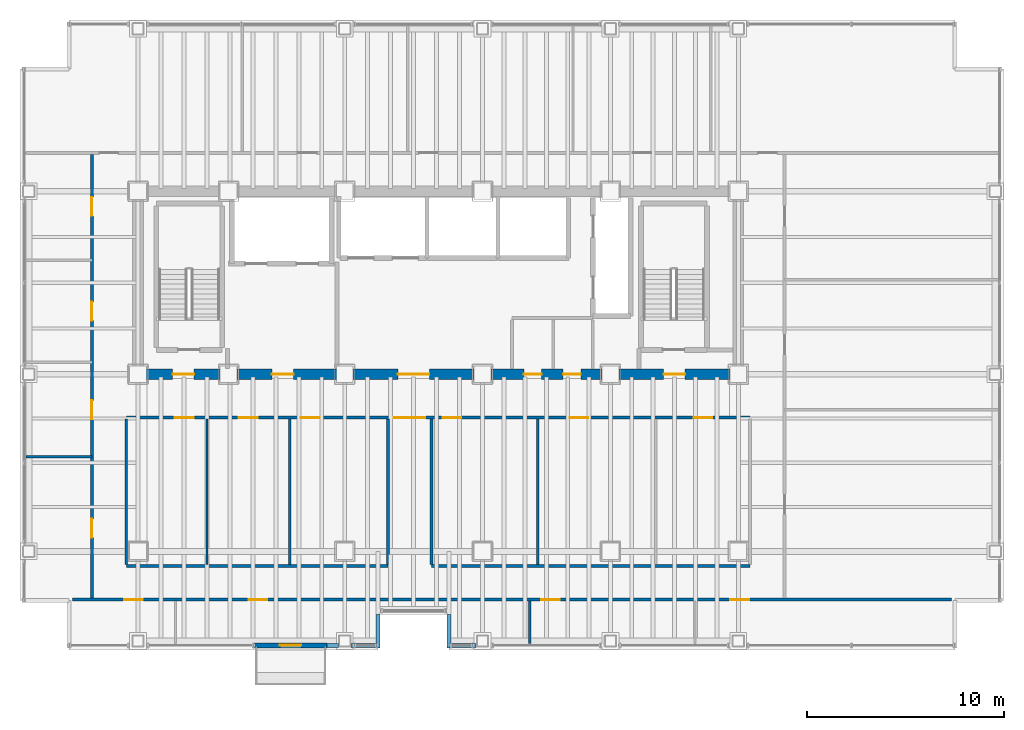
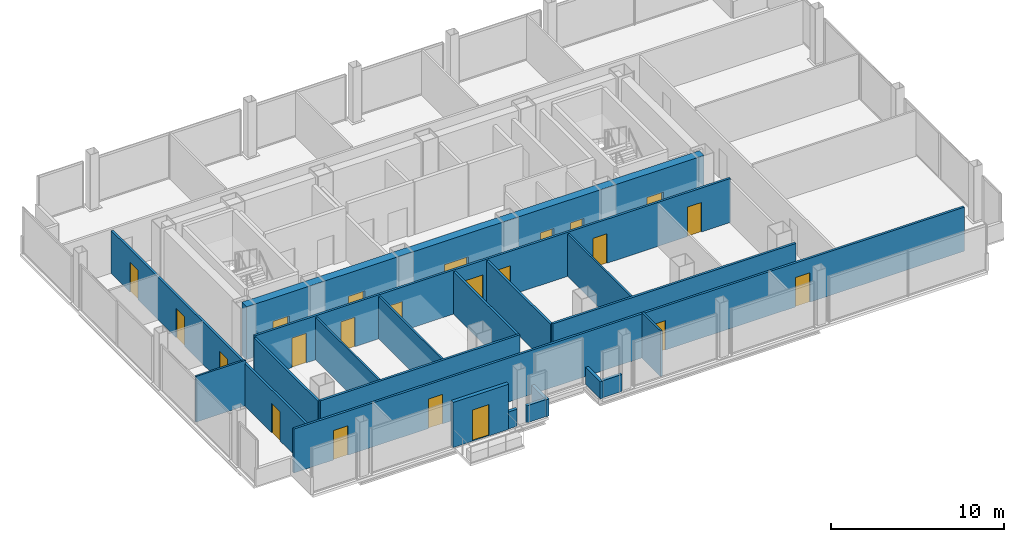
# One storey, part 17 of 20: 22 doors, 20 walls, 22 openings.
"""IFC4 building model written with IfcOpenShell, lengths in metres."""

from ifc_helpers import new_model, si_unit, direction, frame, frame_2d, origin, place, context, subcontext, project, spatial, rectangle, extrude, material, layer, layer_set, type_object, element, fill, save


model = new_model("IFC4")

# Units and contexts
model_context = context("Model", 3, precision=1e-05, world=origin(), true_north=direction((0.0, 1.0)))
body_context = subcontext(model_context, "Body", "Model", "MODEL_VIEW")
ifc_project = project(units=[si_unit("LENGTHUNIT", "METRE"), si_unit("AREAUNIT", "SQUARE_METRE"), si_unit("VOLUMEUNIT", "CUBIC_METRE"), si_unit("PLANEANGLEUNIT", "RADIAN"), si_unit("MASSUNIT", "GRAM", prefix="KILO")], contexts=[model_context])

# Site, building, storey
site_placement = place(None, origin())
site = spatial("IfcSite", under=ifc_project, at=site_placement, CompositionType="ELEMENT")
building_placement = place(site_placement, origin())
building = spatial("IfcBuilding", under=site, at=building_placement, Name="Noeulbin Bourse Tower", CompositionType="ELEMENT")
storey_placement = place(building_placement, frame((0.0, 0.0, 61.60009765625)))
storey = spatial("IfcBuildingStorey", under=building, at=storey_placement, Name="L15", CompositionType="ELEMENT", Elevation=61.60009765625)

# Wall, openings, doors
ifc_material_1 = material(Name="Concrete C60/75", Category="concrete")
ifc_layer_1 = layer(ifc_material_1, 0.550048828125)
ifc_layer_set_1 = layer_set([ifc_layer_1], Name="Concrete C60/75")
wall_type_1 = type_object("IfcWallType", Name="WAL-CORE-550", PredefinedType="SHEAR", material=ifc_layer_set_1)
wall_1_placement = place(storey_placement, frame((13.5, 29.0, 0.0), z_axis=(0.0, 0.0, 1.0), x_axis=(1.0, 0.0, 0.0)))
wall_1 = element("IfcWall", 1, at=wall_1_placement, inside=storey, type_object=wall_type_1, Name="Rear Core South Shear Wall L15", PredefinedType="SHEAR", context=body_context, shape_type="SweptSolid", body=[
    extrude(rectangle(XDim=30.5, YDim=0.550048828125, at=frame_2d((15.25, 0.0))), origin(), (0.0, 0.0, 1.0), 3.719970703125),
])
opening_1_placement = place(wall_1_placement, frame((1.75, 0.0, 0.0)))
opening_1 = element("IfcOpeningElement", 2, at=opening_1_placement, cuts=wall_1, Name="Opening FD-11", PredefinedType="OPENING", context=body_context, shape_type="SweptSolid", body=[
    extrude(rectangle(XDim=1.10009765625, YDim=2.080078125, at=frame_2d((0.550048828125, 1.0400390625))), frame((0.0, 0.284912109375, 0.0), z_axis=(0.0, -1.0, 0.0), x_axis=(1.0, 0.0, 0.0)), (0.0, 0.0, 1.0), 0.570068359375),
])
opening_2_placement = place(wall_1_placement, frame((26.699951171875, 0.0, 0.0)))
opening_2 = element("IfcOpeningElement", 3, at=opening_2_placement, cuts=wall_1, Name="Opening FD-11", PredefinedType="OPENING", context=body_context, shape_type="SweptSolid", body=[
    extrude(rectangle(XDim=1.10009765625, YDim=2.080078125, at=frame_2d((0.550048828125, 1.0400390625))), frame((0.0, 0.284912109375, 0.0), z_axis=(0.0, -1.0, 0.0), x_axis=(1.0, 0.0, 0.0)), (0.0, 0.0, 1.0), 0.570068359375),
])
opening_3_placement = place(wall_1_placement, frame((6.800048828125, 0.0, 0.0)))
opening_3 = element("IfcOpeningElement", 4, at=opening_3_placement, cuts=wall_1, Name="Opening FD-11", PredefinedType="OPENING", context=body_context, shape_type="SweptSolid", body=[
    extrude(rectangle(XDim=1.10009765625, YDim=2.080078125, at=frame_2d((0.550048828125, 1.0400390625))), frame((0.0, 0.284912109375, 0.0), z_axis=(0.0, -1.0, 0.0), x_axis=(1.0, 0.0, 0.0)), (0.0, 0.0, 1.0), 0.570068359375),
])
opening_4_placement = place(wall_1_placement, frame((13.199951171875, 0.0, 0.0)))
opening_4 = element("IfcOpeningElement", 5, at=opening_4_placement, cuts=wall_1, Name="Opening ID-16", PredefinedType="OPENING", context=body_context, shape_type="SweptSolid", body=[
    extrude(rectangle(XDim=1.60009765625, YDim=2.080078125, at=frame_2d((0.800048828125, 1.0400390625))), frame((0.0, 0.284912109375, 0.0), z_axis=(0.0, -1.0, 0.0), x_axis=(1.0, 0.0, 0.0)), (0.0, 0.0, 1.0), 0.570068359375),
])
opening_5_placement = place(wall_1_placement, frame((19.60009765625, 0.0, 0.0)))
opening_5 = element("IfcOpeningElement", 6, at=opening_5_placement, cuts=wall_1, Name="Opening FD-09", PredefinedType="OPENING", context=body_context, shape_type="SweptSolid", body=[
    extrude(rectangle(XDim=0.89990234375, YDim=2.080078125, at=frame_2d((0.449951171875, 1.0400390625))), frame((0.0, 0.284912109375, 0.0), z_axis=(0.0, -1.0, 0.0), x_axis=(1.0, 0.0, 0.0)), (0.0, 0.0, 1.0), 0.570068359375),
])
opening_6_placement = place(wall_1_placement, frame((21.60009765625, 0.0, 0.0)))
opening_6 = element("IfcOpeningElement", 7, at=opening_6_placement, cuts=wall_1, Name="Opening FD-09", PredefinedType="OPENING", context=body_context, shape_type="SweptSolid", body=[
    extrude(rectangle(XDim=0.89990234375, YDim=2.080078125, at=frame_2d((0.449951171875, 1.0400390625))), frame((0.0, 0.284912109375, 0.0), z_axis=(0.0, -1.0, 0.0), x_axis=(1.0, 0.0, 0.0)), (0.0, 0.0, 1.0), 0.570068359375),
])
ifc_material_2 = material(Name="Acoustic Glazed Aluminium", Category="aluminium")
door_type_1 = type_object("IfcDoorType", Name="DR-DBL-1600", OperationType="DOUBLE_DOOR_SINGLE_SWING", PredefinedType="DOOR", material=ifc_material_2)
door_1_placement = place(opening_4_placement, origin())
door_1 = element("IfcDoor", 8, at=door_1_placement, inside=storey, type_object=door_type_1, Name="Passenger Lift Lobby Portal L15", OperationType="DOUBLE_DOOR_SINGLE_SWING", OverallHeight=2.080078125, OverallWidth=1.60009765625, PredefinedType="DOOR", context=body_context, shape_type="SweptSolid", body=[
    extrude(rectangle(XDim=1.60009765625, YDim=2.080078125, at=frame_2d((0.800048828125, 1.0400390625))), frame((0.0, 0.02490234375, 0.0), z_axis=(0.0, -1.0, 0.0), x_axis=(1.0, 0.0, 0.0)), (0.0, 0.0, 1.0), 0.050048828125),
])
fill(opening_4, door_1)
ifc_material_3 = material(Name="Fire-Rated Timber Core", Category="wood")
door_type_2 = type_object("IfcDoorType", Name="DR-FD30-900", OperationType="SINGLE_SWING_RIGHT", PredefinedType="DOOR", material=ifc_material_3)
door_2_placement = place(opening_5_placement, origin())
door_2 = element("IfcDoor", 9, at=door_2_placement, inside=storey, type_object=door_type_2, Name="Interior Door L15-05", OperationType="SINGLE_SWING_LEFT", OverallHeight=2.080078125, OverallWidth=0.89990234375, PredefinedType="DOOR", context=body_context, shape_type="SweptSolid", body=[
    extrude(rectangle(XDim=0.89990234375, YDim=2.080078125, at=frame_2d((0.449951171875, 1.0400390625))), frame((0.0, 0.02490234375, 0.0), z_axis=(0.0, -1.0, 0.0), x_axis=(1.0, 0.0, 0.0)), (0.0, 0.0, 1.0), 0.050048828125),
])
fill(opening_5, door_2)
door_3_placement = place(opening_6_placement, origin())
door_3 = element("IfcDoor", 10, at=door_3_placement, inside=storey, type_object=door_type_2, Name="Interior Door L15-06", OperationType="SINGLE_SWING_RIGHT", OverallHeight=2.080078125, OverallWidth=0.89990234375, PredefinedType="DOOR", context=body_context, shape_type="SweptSolid", body=[
    extrude(rectangle(XDim=0.89990234375, YDim=2.080078125, at=frame_2d((0.449951171875, 1.0400390625))), frame((0.0, 0.02490234375, 0.0), z_axis=(0.0, -1.0, 0.0), x_axis=(1.0, 0.0, 0.0)), (0.0, 0.0, 1.0), 0.050048828125),
])
fill(opening_6, door_3)
ifc_material_4 = material(Name="Fire-Rated Insulated Steel", Category="steel")
door_type_3 = type_object("IfcDoorType", Name="DR-FD60-1100", OperationType="SINGLE_SWING_LEFT", PredefinedType="DOOR", material=ifc_material_4)
door_4_placement = place(opening_1_placement, origin())
door_4 = element("IfcDoor", 11, at=door_4_placement, inside=storey, type_object=door_type_3, Name="West Stair Lobby Door L15", OperationType="SINGLE_SWING_LEFT", OverallHeight=2.080078125, OverallWidth=1.10009765625, PredefinedType="DOOR", context=body_context, shape_type="SweptSolid", body=[
    extrude(rectangle(XDim=1.10009765625, YDim=2.080078125, at=frame_2d((0.550048828125, 1.0400390625))), frame((0.0, 0.02490234375, 0.0), z_axis=(0.0, -1.0, 0.0), x_axis=(1.0, 0.0, 0.0)), (0.0, 0.0, 1.0), 0.050048828125),
])
fill(opening_1, door_4)
door_5_placement = place(opening_2_placement, origin())
door_5 = element("IfcDoor", 12, at=door_5_placement, inside=storey, type_object=door_type_3, Name="East Stair Lobby Door L15", OperationType="SINGLE_SWING_RIGHT", OverallHeight=2.080078125, OverallWidth=1.10009765625, PredefinedType="DOOR", context=body_context, shape_type="SweptSolid", body=[
    extrude(rectangle(XDim=1.10009765625, YDim=2.080078125, at=frame_2d((0.550048828125, 1.0400390625))), frame((0.0, 0.02490234375, 0.0), z_axis=(0.0, -1.0, 0.0), x_axis=(1.0, 0.0, 0.0)), (0.0, 0.0, 1.0), 0.050048828125),
])
fill(opening_2, door_5)
door_6_placement = place(opening_3_placement, origin())
door_6 = element("IfcDoor", 13, at=door_6_placement, inside=storey, type_object=door_type_3, Name="Firefighting Lobby Door L15", OperationType="SINGLE_SWING_LEFT", OverallHeight=2.080078125, OverallWidth=1.10009765625, PredefinedType="DOOR", context=body_context, shape_type="SweptSolid", body=[
    extrude(rectangle(XDim=1.10009765625, YDim=2.080078125, at=frame_2d((0.550048828125, 1.0400390625))), frame((0.0, 0.02490234375, 0.0), z_axis=(0.0, -1.0, 0.0), x_axis=(1.0, 0.0, 0.0)), (0.0, 0.0, 1.0), 0.050048828125),
])
fill(opening_3, door_6)

# Wall, opening, door
ifc_material_5 = material(Name="Precast Concrete C40/50", Category="concrete")
ifc_layer_2 = layer(ifc_material_5, 0.25)
ifc_layer_set_2 = layer_set([ifc_layer_2], Name="Precast Concrete C40/50")
wall_type_2 = type_object("IfcWallType", Name="WAL-EXT-250", PredefinedType="STANDARD", material=ifc_layer_set_2)
wall_2_placement = place(storey_placement, frame((19.39990234375, 15.219970703125, 0.0), z_axis=(0.0, 0.0, 1.0), x_axis=(1.0, 0.0, 0.0)))
wall_2 = element("IfcWall", 14, at=wall_2_placement, inside=storey, type_object=wall_type_2, Name="Balcony Threshold Wall L15", PredefinedType="STANDARD", context=body_context, shape_type="SweptSolid", body=[
    extrude(rectangle(XDim=3.7001953125, YDim=0.25, at=frame_2d((1.85009765625, 0.0))), origin(), (0.0, 0.0, 1.0), 3.179931640625),
])
opening_7_placement = place(wall_2_placement, frame((1.300048828125, 0.0, 0.0)))
opening_7 = element("IfcOpeningElement", 15, at=opening_7_placement, cuts=wall_2, Name="Opening BD-11", PredefinedType="OPENING", context=body_context, shape_type="SweptSolid", body=[
    extrude(rectangle(XDim=1.10009765625, YDim=2.199951171875, at=frame_2d((0.550048828125, 1.10009765625))), frame((0.0, 0.135009765625, 0.0), z_axis=(0.0, -1.0, 0.0), x_axis=(1.0, 0.0, 0.0)), (0.0, 0.0, 1.0), 0.27001953125),
])
ifc_material_6 = material(Name="Thermally Broken Aluminium Framed Glass", Category="aluminium")
door_type_4 = type_object("IfcDoorType", Name="DR-BAL-1100", OperationType="SINGLE_SWING_LEFT", PredefinedType="DOOR", material=ifc_material_6)
door_7_placement = place(opening_7_placement, origin())
door_7 = element("IfcDoor", 16, at=door_7_placement, inside=storey, type_object=door_type_4, Name="Tree-Balcony Access Door BD-L15", OperationType="SINGLE_SWING_LEFT", OverallHeight=2.199951171875, OverallWidth=1.10009765625, PredefinedType="DOOR", context=body_context, shape_type="SweptSolid", body=[
    extrude(rectangle(XDim=1.10009765625, YDim=2.199951171875, at=frame_2d((0.550048828125, 1.10009765625))), frame((0.0, 0.02490234375, 0.0), z_axis=(0.0, -1.0, 0.0), x_axis=(1.0, 0.0, 0.0)), (0.0, 0.0, 1.0), 0.050048828125),
])
fill(opening_7, door_7)

# Walls
ifc_material_7 = material(Name="Concrete C40/50", Category="concrete")
ifc_layer_3 = layer(ifc_material_7, 0.199951171875)
ifc_layer_set_3 = layer_set([ifc_layer_3], Name="Concrete C40/50")
wall_type_3 = type_object("IfcWallType", Name="WAL-PAR-200", PredefinedType="PARAPET", material=ifc_layer_set_3)
wall_3_placement = place(storey_placement, frame((23.10009765625, 15.219970703125, 0.0), z_axis=(0.0, 0.0, 1.0), x_axis=(1.0, 0.0, 0.0)))
element("IfcWall", 17, at=wall_3_placement, inside=storey, type_object=wall_type_3, Name="Perimeter Pier Spandrel Parapet L15-S1", PredefinedType="PARAPET", context=body_context, shape_type="SweptSolid", body=[
    extrude(rectangle(XDim=0.579833984375, YDim=0.199951171875, at=frame_2d((0.2900390625, 0.0))), origin(), (0.0, 0.0, 1.0), 1.199951171875),
])
for number, where, z_axis, x_axis, name in (
    (18, (24.320068359375, 15.219970703125, 0.0), (0.0, 0.0, 1.0), (1.0, 0.0, 0.0), "Perimeter Pier Spandrel Parapet L15-S2"),
    (19, (29.35009765625, 15.219970703125, 0.0), (0.0, 0.0, 1.0), (1.0, 0.0, 0.0), "Perimeter Pier Spandrel Parapet L15-S3"),
):
    element("IfcWall", number, at=place(storey_placement, frame(where, z_axis=z_axis, x_axis=x_axis)), inside=storey, type_object=wall_type_3, Name=name, PredefinedType="PARAPET", context=body_context, shape_type="SweptSolid", body=[
        extrude(rectangle(XDim=1.329833984375, YDim=0.199951171875, at=frame_2d((0.6650390625, 0.0))), origin(), (0.0, 0.0, 1.0), 1.199951171875),
    ])
for number, where, z_axis, x_axis, name in (
    (20, (25.699951171875, 15.10009765625, 0.0), (0.0, 0.0, 1.0), (0.0, 1.0, 0.0), "Sky-Garden Recess Parapet L15-W"),
    (21, (29.300048828125, 16.800048828125, 0.0), (0.0, 0.0, 1.0), (0.0, -1.0, 0.0), "Sky-Garden Recess Parapet L15-E"),
):
    element("IfcWall", number, at=place(storey_placement, frame(where, z_axis=z_axis, x_axis=x_axis)), inside=storey, type_object=wall_type_3, Name=name, PredefinedType="PARAPET", context=body_context, shape_type="SweptSolid", body=[
        extrude(rectangle(XDim=1.699951171875, YDim=0.199951171875, at=frame_2d((0.85009765625, 0.0))), origin(), (0.0, 0.0, 1.0), 1.199951171875),
    ])
ifc_material_8 = material(Name="Steel Stud Gypsum Partition", Category="steel")
ifc_layer_4 = layer(ifc_material_8, 0.1201171875)
ifc_layer_set_4 = layer_set([ifc_layer_4], Name="Steel Stud Gypsum Partition")
wall_type_4 = type_object("IfcWallType", Name="WAL-PRT-120", PredefinedType="PARTITIONING", material=ifc_layer_set_4)
wall_4_placement = place(storey_placement, frame((7.81005859375, 24.800048828125, 0.0), z_axis=(0.0, 0.0, 1.0), x_axis=(1.0, 0.0, 0.0)))
element("IfcWall", 22, at=wall_4_placement, inside=storey, type_object=wall_type_4, Name="Interior Partition Wall L15-07", PredefinedType="PARTITIONING", context=body_context, shape_type="SweptSolid", body=[
    extrude(rectangle(XDim=3.33984375, YDim=0.1201171875, at=frame_2d((1.669921875, 0.0))), origin(), (0.0, 0.0, 1.0), 3.2119140625),
])
wall_5_placement = place(storey_placement, frame((33.39990234375, 15.31005859375, 0.0), z_axis=(0.0, 0.0, 1.0), x_axis=(0.0, 1.0, 0.0)))
element("IfcWall", 23, at=wall_5_placement, inside=storey, type_object=wall_type_4, Name="Interior Partition Wall L15-26", PredefinedType="PARTITIONING", context=body_context, shape_type="SweptSolid", body=[
    extrude(rectangle(XDim=2.155029296875, YDim=0.1201171875, at=frame_2d((1.07763671875, 0.0))), origin(), (0.0, 0.0, 1.0), 3.2119140625),
])
for number, where, z_axis, x_axis, name in (
    (24, (17.0, 19.3349609375, 0.0), (0.0, 0.0, 1.0), (0.0, 1.0, 0.0), "Interior Partition Wall L15-28"),
    (25, (21.199951171875, 19.3349609375, 0.0), (0.0, 0.0, 1.0), (0.0, 1.0, 0.0), "Interior Partition Wall L15-29"),
    (26, (33.800048828125, 19.3349609375, 0.0), (0.0, 0.0, 1.0), (0.0, 1.0, 0.0), "Interior Partition Wall L15-30"),
):
    element("IfcWall", number, at=place(storey_placement, frame(where, z_axis=z_axis, x_axis=x_axis)), inside=storey, type_object=wall_type_4, Name=name, PredefinedType="PARTITIONING", context=body_context, shape_type="SweptSolid", body=[
        extrude(rectangle(XDim=7.380126953125, YDim=0.1201171875, at=frame_2d((3.68994140625, 0.0))), origin(), (0.0, 0.0, 1.0), 3.0),
    ])

# Wall, openings, doors
ifc_material_9 = material(Name="Steel Stud Acoustic Gypsum Board", Category="steel")
ifc_layer_5 = layer(ifc_material_9, 0.14990234375)
ifc_layer_set_5 = layer_set([ifc_layer_5], Name="Steel Stud Acoustic Gypsum Board")
wall_type_5 = type_object("IfcWallType", Name="WAL-PRT-150", PredefinedType="PARTITIONING", material=ifc_layer_set_5)
wall_6_placement = place(storey_placement, frame((12.89990234375, 26.800048828125, 0.0), z_axis=(0.0, 0.0, 1.0), x_axis=(1.0, 0.0, 0.0)))
wall_6 = element("IfcWall", 27, at=wall_6_placement, inside=storey, type_object=wall_type_5, Name="Interior Partition Wall L15-03", PredefinedType="PARTITIONING", context=body_context, shape_type="SweptSolid", body=[
    extrude(rectangle(XDim=31.7001953125, YDim=0.14990234375, at=frame_2d((15.85009765625, 0.0))), origin(), (0.0, 0.0, 1.0), 3.099853515625),
])
opening_8_placement = place(wall_6_placement, frame((13.60009765625, 0.0, 0.0)))
opening_8 = element("IfcOpeningElement", 28, at=opening_8_placement, cuts=wall_6, Name="Opening ID-16", PredefinedType="OPENING", context=body_context, shape_type="SweptSolid", body=[
    extrude(rectangle(XDim=1.60009765625, YDim=2.080078125, at=frame_2d((0.800048828125, 1.0400390625))), frame((0.0, 0.0849609375, 0.0), z_axis=(0.0, -1.0, 0.0), x_axis=(1.0, 0.0, 0.0)), (0.0, 0.0, 1.0), 0.169921875),
])
opening_9_placement = place(wall_6_placement, frame((2.47509765625, 0.0, 0.0)))
opening_9 = element("IfcOpeningElement", 29, at=opening_9_placement, cuts=wall_6, Name="Opening ID-09", PredefinedType="OPENING", context=body_context, shape_type="SweptSolid", body=[
    extrude(rectangle(XDim=0.949951171875, YDim=2.080078125, at=frame_2d((0.47509765625, 1.0400390625))), frame((0.0, 0.0849609375, 0.0), z_axis=(0.0, -1.0, 0.0), x_axis=(1.0, 0.0, 0.0)), (0.0, 0.0, 1.0), 0.169921875),
])
opening_10_placement = place(wall_6_placement, frame((5.72509765625, 0.0, 0.0)))
opening_10 = element("IfcOpeningElement", 30, at=opening_10_placement, cuts=wall_6, Name="Opening ID-09", PredefinedType="OPENING", context=body_context, shape_type="SweptSolid", body=[
    extrude(rectangle(XDim=0.949951171875, YDim=2.080078125, at=frame_2d((0.47509765625, 1.0400390625))), frame((0.0, 0.0849609375, 0.0), z_axis=(0.0, -1.0, 0.0), x_axis=(1.0, 0.0, 0.0)), (0.0, 0.0, 1.0), 0.169921875),
])
opening_11_placement = place(wall_6_placement, frame((8.875, 0.0, 0.0)))
opening_11 = element("IfcOpeningElement", 31, at=opening_11_placement, cuts=wall_6, Name="Opening ID-09", PredefinedType="OPENING", context=body_context, shape_type="SweptSolid", body=[
    extrude(rectangle(XDim=0.949951171875, YDim=2.080078125, at=frame_2d((0.47509765625, 1.0400390625))), frame((0.0, 0.0849609375, 0.0), z_axis=(0.0, -1.0, 0.0), x_axis=(1.0, 0.0, 0.0)), (0.0, 0.0, 1.0), 0.169921875),
])
opening_12_placement = place(wall_6_placement, frame((16.074951171875, 0.0, 0.0)))
opening_12 = element("IfcOpeningElement", 32, at=opening_12_placement, cuts=wall_6, Name="Opening ID-09", PredefinedType="OPENING", context=body_context, shape_type="SweptSolid", body=[
    extrude(rectangle(XDim=0.949951171875, YDim=2.080078125, at=frame_2d((0.47509765625, 1.0400390625))), frame((0.0, 0.0849609375, 0.0), z_axis=(0.0, -1.0, 0.0), x_axis=(1.0, 0.0, 0.0)), (0.0, 0.0, 1.0), 0.169921875),
])
opening_13_placement = place(wall_6_placement, frame((22.52490234375, 0.0, 0.0)))
opening_13 = element("IfcOpeningElement", 33, at=opening_13_placement, cuts=wall_6, Name="Opening ID-09", PredefinedType="OPENING", context=body_context, shape_type="SweptSolid", body=[
    extrude(rectangle(XDim=0.949951171875, YDim=2.080078125, at=frame_2d((0.47509765625, 1.0400390625))), frame((0.0, 0.0849609375, 0.0), z_axis=(0.0, -1.0, 0.0), x_axis=(1.0, 0.0, 0.0)), (0.0, 0.0, 1.0), 0.169921875),
])
opening_14_placement = place(wall_6_placement, frame((28.824951171875, 0.0, 0.0)))
opening_14 = element("IfcOpeningElement", 34, at=opening_14_placement, cuts=wall_6, Name="Opening ID-09", PredefinedType="OPENING", context=body_context, shape_type="SweptSolid", body=[
    extrude(rectangle(XDim=0.949951171875, YDim=2.080078125, at=frame_2d((0.47509765625, 1.0400390625))), frame((0.0, 0.0849609375, 0.0), z_axis=(0.0, -1.0, 0.0), x_axis=(1.0, 0.0, 0.0)), (0.0, 0.0, 1.0), 0.169921875),
])
door_8_placement = place(opening_8_placement, origin())
door_8 = element("IfcDoor", 35, at=door_8_placement, inside=storey, type_object=door_type_1, Name="Interior Door L15-07", OperationType="DOUBLE_DOOR_SINGLE_SWING", OverallHeight=2.080078125, OverallWidth=1.60009765625, PredefinedType="DOOR", context=body_context, shape_type="SweptSolid", body=[
    extrude(rectangle(XDim=1.60009765625, YDim=2.080078125, at=frame_2d((0.800048828125, 1.0400390625))), frame((0.0, 0.02490234375, 0.0), z_axis=(0.0, -1.0, 0.0), x_axis=(1.0, 0.0, 0.0)), (0.0, 0.0, 1.0), 0.050048828125),
])
fill(opening_8, door_8)
ifc_material_10 = material(Name="Acoustic Solid-Core Timber", Category="wood")
door_type_5 = type_object("IfcDoorType", Name="DR-SINGLE-950", OperationType="SINGLE_SWING_LEFT", PredefinedType="DOOR", material=ifc_material_10)
door_9_placement = place(opening_9_placement, origin())
door_9 = element("IfcDoor", 36, at=door_9_placement, inside=storey, type_object=door_type_5, Name="Interior Door L15-12", OperationType="SINGLE_SWING_RIGHT", OverallHeight=2.080078125, OverallWidth=0.949951171875, PredefinedType="DOOR", context=body_context, shape_type="SweptSolid", body=[
    extrude(rectangle(XDim=0.949951171875, YDim=2.080078125, at=frame_2d((0.47509765625, 1.0400390625))), frame((0.0, 0.02490234375, 0.0), z_axis=(0.0, -1.0, 0.0), x_axis=(1.0, 0.0, 0.0)), (0.0, 0.0, 1.0), 0.050048828125),
])
fill(opening_9, door_9)
door_10_placement = place(opening_10_placement, origin())
door_10 = element("IfcDoor", 37, at=door_10_placement, inside=storey, type_object=door_type_5, Name="Interior Door L15-13", OperationType="SINGLE_SWING_LEFT", OverallHeight=2.080078125, OverallWidth=0.949951171875, PredefinedType="DOOR", context=body_context, shape_type="SweptSolid", body=[
    extrude(rectangle(XDim=0.949951171875, YDim=2.080078125, at=frame_2d((0.47509765625, 1.0400390625))), frame((0.0, 0.02490234375, 0.0), z_axis=(0.0, -1.0, 0.0), x_axis=(1.0, 0.0, 0.0)), (0.0, 0.0, 1.0), 0.050048828125),
])
fill(opening_10, door_10)
door_11_placement = place(opening_11_placement, origin())
door_11 = element("IfcDoor", 38, at=door_11_placement, inside=storey, type_object=door_type_5, Name="Interior Door L15-14", OperationType="SINGLE_SWING_RIGHT", OverallHeight=2.080078125, OverallWidth=0.949951171875, PredefinedType="DOOR", context=body_context, shape_type="SweptSolid", body=[
    extrude(rectangle(XDim=0.949951171875, YDim=2.080078125, at=frame_2d((0.47509765625, 1.0400390625))), frame((0.0, 0.02490234375, 0.0), z_axis=(0.0, -1.0, 0.0), x_axis=(1.0, 0.0, 0.0)), (0.0, 0.0, 1.0), 0.050048828125),
])
fill(opening_11, door_11)
door_12_placement = place(opening_12_placement, origin())
door_12 = element("IfcDoor", 39, at=door_12_placement, inside=storey, type_object=door_type_5, Name="Interior Door L15-15", OperationType="SINGLE_SWING_LEFT", OverallHeight=2.080078125, OverallWidth=0.949951171875, PredefinedType="DOOR", context=body_context, shape_type="SweptSolid", body=[
    extrude(rectangle(XDim=0.949951171875, YDim=2.080078125, at=frame_2d((0.47509765625, 1.0400390625))), frame((0.0, 0.02490234375, 0.0), z_axis=(0.0, -1.0, 0.0), x_axis=(1.0, 0.0, 0.0)), (0.0, 0.0, 1.0), 0.050048828125),
])
fill(opening_12, door_12)
door_13_placement = place(opening_13_placement, origin())
door_13 = element("IfcDoor", 40, at=door_13_placement, inside=storey, type_object=door_type_5, Name="Interior Door L15-16", OperationType="SINGLE_SWING_RIGHT", OverallHeight=2.080078125, OverallWidth=0.949951171875, PredefinedType="DOOR", context=body_context, shape_type="SweptSolid", body=[
    extrude(rectangle(XDim=0.949951171875, YDim=2.080078125, at=frame_2d((0.47509765625, 1.0400390625))), frame((0.0, 0.02490234375, 0.0), z_axis=(0.0, -1.0, 0.0), x_axis=(1.0, 0.0, 0.0)), (0.0, 0.0, 1.0), 0.050048828125),
])
fill(opening_13, door_13)
door_14_placement = place(opening_14_placement, origin())
door_14 = element("IfcDoor", 41, at=door_14_placement, inside=storey, type_object=door_type_5, Name="Interior Door L15-17", OperationType="SINGLE_SWING_LEFT", OverallHeight=2.080078125, OverallWidth=0.949951171875, PredefinedType="DOOR", context=body_context, shape_type="SweptSolid", body=[
    extrude(rectangle(XDim=0.949951171875, YDim=2.080078125, at=frame_2d((0.47509765625, 1.0400390625))), frame((0.0, 0.02490234375, 0.0), z_axis=(0.0, -1.0, 0.0), x_axis=(1.0, 0.0, 0.0)), (0.0, 0.0, 1.0), 0.050048828125),
])
fill(opening_14, door_14)

wall_7_placement = place(storey_placement, frame((10.159912109375, 17.550048828125, 0.0), z_axis=(0.0, 0.0, 1.0), x_axis=(1.0, 0.0, 0.0)))
wall_7 = element("IfcWall", 42, at=wall_7_placement, inside=storey, type_object=wall_type_5, Name="Interior Partition Wall L15-04", PredefinedType="PARTITIONING", context=body_context, shape_type="SweptSolid", body=[
    extrude(rectangle(XDim=44.68017578125, YDim=0.14990234375, at=frame_2d((22.340087890625, 0.0))), origin(), (0.0, 0.0, 1.0), 3.099853515625),
])
opening_15_placement = place(wall_7_placement, frame((2.639892578125, 0.0, 0.0)))
opening_15 = element("IfcOpeningElement", 43, at=opening_15_placement, cuts=wall_7, Name="Opening ID-09", PredefinedType="OPENING", context=body_context, shape_type="SweptSolid", body=[
    extrude(rectangle(XDim=0.949951171875, YDim=2.080078125, at=frame_2d((0.47509765625, 1.0400390625))), frame((0.0, 0.0849609375, 0.0), z_axis=(0.0, -1.0, 0.0), x_axis=(1.0, 0.0, 0.0)), (0.0, 0.0, 1.0), 0.169921875),
])
opening_16_placement = place(wall_7_placement, frame((8.965087890625, 0.0, 0.0)))
opening_16 = element("IfcOpeningElement", 44, at=opening_16_placement, cuts=wall_7, Name="Opening ID-09", PredefinedType="OPENING", context=body_context, shape_type="SweptSolid", body=[
    extrude(rectangle(XDim=0.949951171875, YDim=2.080078125, at=frame_2d((0.47509765625, 1.0400390625))), frame((0.0, 0.0849609375, 0.0), z_axis=(0.0, -1.0, 0.0), x_axis=(1.0, 0.0, 0.0)), (0.0, 0.0, 1.0), 0.169921875),
])
opening_17_placement = place(wall_7_placement, frame((23.81494140625, 0.0, 0.0)))
opening_17 = element("IfcOpeningElement", 45, at=opening_17_placement, cuts=wall_7, Name="Opening ID-09", PredefinedType="OPENING", context=body_context, shape_type="SweptSolid", body=[
    extrude(rectangle(XDim=0.949951171875, YDim=2.080078125, at=frame_2d((0.47509765625, 1.0400390625))), frame((0.0, 0.0849609375, 0.0), z_axis=(0.0, -1.0, 0.0), x_axis=(1.0, 0.0, 0.0)), (0.0, 0.0, 1.0), 0.169921875),
])
opening_18_placement = place(wall_7_placement, frame((33.43994140625, 0.0, 0.0)))
opening_18 = element("IfcOpeningElement", 46, at=opening_18_placement, cuts=wall_7, Name="Opening ID-09", PredefinedType="OPENING", context=body_context, shape_type="SweptSolid", body=[
    extrude(rectangle(XDim=0.949951171875, YDim=2.080078125, at=frame_2d((0.47509765625, 1.0400390625))), frame((0.0, 0.0849609375, 0.0), z_axis=(0.0, -1.0, 0.0), x_axis=(1.0, 0.0, 0.0)), (0.0, 0.0, 1.0), 0.169921875),
])
door_15_placement = place(opening_15_placement, origin())
door_15 = element("IfcDoor", 47, at=door_15_placement, inside=storey, type_object=door_type_5, Name="Interior Door L15-08", OperationType="SINGLE_SWING_RIGHT", OverallHeight=2.080078125, OverallWidth=0.949951171875, PredefinedType="DOOR", context=body_context, shape_type="SweptSolid", body=[
    extrude(rectangle(XDim=0.949951171875, YDim=2.080078125, at=frame_2d((0.47509765625, 1.0400390625))), frame((0.0, 0.02490234375, 0.0), z_axis=(0.0, -1.0, 0.0), x_axis=(1.0, 0.0, 0.0)), (0.0, 0.0, 1.0), 0.050048828125),
])
fill(opening_15, door_15)
door_16_placement = place(opening_16_placement, origin())
door_16 = element("IfcDoor", 48, at=door_16_placement, inside=storey, type_object=door_type_5, Name="Interior Door L15-09", OperationType="SINGLE_SWING_LEFT", OverallHeight=2.080078125, OverallWidth=0.949951171875, PredefinedType="DOOR", context=body_context, shape_type="SweptSolid", body=[
    extrude(rectangle(XDim=0.949951171875, YDim=2.080078125, at=frame_2d((0.47509765625, 1.0400390625))), frame((0.0, 0.02490234375, 0.0), z_axis=(0.0, -1.0, 0.0), x_axis=(1.0, 0.0, 0.0)), (0.0, 0.0, 1.0), 0.050048828125),
])
fill(opening_16, door_16)
door_17_placement = place(opening_17_placement, origin())
door_17 = element("IfcDoor", 49, at=door_17_placement, inside=storey, type_object=door_type_5, Name="Interior Door L15-10", OperationType="SINGLE_SWING_RIGHT", OverallHeight=2.080078125, OverallWidth=0.949951171875, PredefinedType="DOOR", context=body_context, shape_type="SweptSolid", body=[
    extrude(rectangle(XDim=0.949951171875, YDim=2.080078125, at=frame_2d((0.47509765625, 1.0400390625))), frame((0.0, 0.02490234375, 0.0), z_axis=(0.0, -1.0, 0.0), x_axis=(1.0, 0.0, 0.0)), (0.0, 0.0, 1.0), 0.050048828125),
])
fill(opening_17, door_17)
door_18_placement = place(opening_18_placement, origin())
door_18 = element("IfcDoor", 50, at=door_18_placement, inside=storey, type_object=door_type_5, Name="Interior Door L15-11", OperationType="SINGLE_SWING_LEFT", OverallHeight=2.080078125, OverallWidth=0.949951171875, PredefinedType="DOOR", context=body_context, shape_type="SweptSolid", body=[
    extrude(rectangle(XDim=0.949951171875, YDim=2.080078125, at=frame_2d((0.47509765625, 1.0400390625))), frame((0.0, 0.02490234375, 0.0), z_axis=(0.0, -1.0, 0.0), x_axis=(1.0, 0.0, 0.0)), (0.0, 0.0, 1.0), 0.050048828125),
])
fill(opening_18, door_18)

# Walls
wall_8_placement = place(storey_placement, frame((12.89990234375, 19.25, 0.0), z_axis=(0.0, 0.0, 1.0), x_axis=(1.0, 0.0, 0.0)))
element("IfcWall", 51, at=wall_8_placement, inside=storey, type_object=wall_type_5, Name="Interior Partition Wall L15-05", PredefinedType="PARTITIONING", context=body_context, shape_type="SweptSolid", body=[
    extrude(rectangle(XDim=13.300048828125, YDim=0.14990234375, at=frame_2d((6.64990234375, 0.0))), origin(), (0.0, 0.0, 1.0), 3.099853515625),
])
wall_9_placement = place(storey_placement, frame((28.39990234375, 19.25, 0.0), z_axis=(0.0, 0.0, 1.0), x_axis=(1.0, 0.0, 0.0)))
element("IfcWall", 52, at=wall_9_placement, inside=storey, type_object=wall_type_5, Name="Interior Partition Wall L15-06", PredefinedType="PARTITIONING", context=body_context, shape_type="SweptSolid", body=[
    extrude(rectangle(XDim=16.2001953125, YDim=0.14990234375, at=frame_2d((8.10009765625, 0.0))), origin(), (0.0, 0.0, 1.0), 3.099853515625),
])
for number, where, z_axis, x_axis, name in (
    (53, (26.199951171875, 19.3349609375, 0.0), (0.0, 0.0, 1.0), (0.0, 1.0, 0.0), "Interior Partition Wall L15-19"),
    (54, (28.39990234375, 19.3349609375, 0.0), (0.0, 0.0, 1.0), (0.0, 1.0, 0.0), "Interior Partition Wall L15-20"),
):
    element("IfcWall", number, at=place(storey_placement, frame(where, z_axis=z_axis, x_axis=x_axis)), inside=storey, type_object=wall_type_5, Name=name, PredefinedType="PARTITIONING", context=body_context, shape_type="SweptSolid", body=[
        extrude(rectangle(XDim=7.380126953125, YDim=0.14990234375, at=frame_2d((3.68994140625, 0.0))), origin(), (0.0, 0.0, 1.0), 3.0),
    ])

# Wall, openings, doors
wall_10_placement = place(storey_placement, frame((11.14990234375, 17.635009765625, 0.0), z_axis=(0.0, 0.0, 1.0), x_axis=(0.0, 1.0, 0.0)))
wall_10 = element("IfcWall", 55, at=wall_10_placement, inside=storey, type_object=wall_type_5, Name="Interior Partition Wall L15-21", PredefinedType="PARTITIONING", context=body_context, shape_type="SweptSolid", body=[
    extrude(rectangle(XDim=22.530029296875, YDim=0.14990234375, at=frame_2d((11.26513671875, 0.0))), origin(), (0.0, 0.0, 1.0), 3.0),
])
opening_19_placement = place(wall_10_placement, frame((3.06494140625, 0.0, 0.0)))
opening_19 = element("IfcOpeningElement", 56, at=opening_19_placement, cuts=wall_10, Name="Opening ID-09", PredefinedType="OPENING", context=body_context, shape_type="SweptSolid", body=[
    extrude(rectangle(XDim=0.949951171875, YDim=2.080078125, at=frame_2d((0.47509765625, 1.0400390625))), frame((0.0, 0.0849609375, 0.0), z_axis=(0.0, -1.0, 0.0), x_axis=(1.0, 0.0, 0.0)), (0.0, 0.0, 1.0), 0.169921875),
])
opening_20_placement = place(wall_10_placement, frame((9.090087890625, 0.0, 0.0)))
opening_20 = element("IfcOpeningElement", 57, at=opening_20_placement, cuts=wall_10, Name="Opening ID-09", PredefinedType="OPENING", context=body_context, shape_type="SweptSolid", body=[
    extrude(rectangle(XDim=0.949951171875, YDim=2.080078125, at=frame_2d((0.47509765625, 1.0400390625))), frame((0.0, 0.0849609375, 0.0), z_axis=(0.0, -1.0, 0.0), x_axis=(1.0, 0.0, 0.0)), (0.0, 0.0, 1.0), 0.169921875),
])
opening_21_placement = place(wall_10_placement, frame((14.090087890625, 0.0, 0.0)))
opening_21 = element("IfcOpeningElement", 58, at=opening_21_placement, cuts=wall_10, Name="Opening ID-09", PredefinedType="OPENING", context=body_context, shape_type="SweptSolid", body=[
    extrude(rectangle(XDim=0.949951171875, YDim=2.080078125, at=frame_2d((0.47509765625, 1.0400390625))), frame((0.0, 0.0849609375, 0.0), z_axis=(0.0, -1.0, 0.0), x_axis=(1.0, 0.0, 0.0)), (0.0, 0.0, 1.0), 0.169921875),
])
opening_22_placement = place(wall_10_placement, frame((19.4150390625, 0.0, 0.0)))
opening_22 = element("IfcOpeningElement", 59, at=opening_22_placement, cuts=wall_10, Name="Opening ID-09", PredefinedType="OPENING", context=body_context, shape_type="SweptSolid", body=[
    extrude(rectangle(XDim=0.949951171875, YDim=2.080078125, at=frame_2d((0.47509765625, 1.0400390625))), frame((0.0, 0.0849609375, 0.0), z_axis=(0.0, -1.0, 0.0), x_axis=(1.0, 0.0, 0.0)), (0.0, 0.0, 1.0), 0.169921875),
])
door_19_placement = place(opening_19_placement, origin())
door_19 = element("IfcDoor", 60, at=door_19_placement, inside=storey, type_object=door_type_5, Name="Interior Door L15-18", OperationType="SINGLE_SWING_RIGHT", OverallHeight=2.080078125, OverallWidth=0.949951171875, PredefinedType="DOOR", context=body_context, shape_type="SweptSolid", body=[
    extrude(rectangle(XDim=0.949951171875, YDim=2.080078125, at=frame_2d((0.47509765625, 1.0400390625))), frame((0.0, 0.02490234375, 0.0), z_axis=(0.0, -1.0, 0.0), x_axis=(1.0, 0.0, 0.0)), (0.0, 0.0, 1.0), 0.050048828125),
])
fill(opening_19, door_19)
door_20_placement = place(opening_20_placement, origin())
door_20 = element("IfcDoor", 61, at=door_20_placement, inside=storey, type_object=door_type_5, Name="Interior Door L15-19", OperationType="SINGLE_SWING_LEFT", OverallHeight=2.080078125, OverallWidth=0.949951171875, PredefinedType="DOOR", context=body_context, shape_type="SweptSolid", body=[
    extrude(rectangle(XDim=0.949951171875, YDim=2.080078125, at=frame_2d((0.47509765625, 1.0400390625))), frame((0.0, 0.02490234375, 0.0), z_axis=(0.0, -1.0, 0.0), x_axis=(1.0, 0.0, 0.0)), (0.0, 0.0, 1.0), 0.050048828125),
])
fill(opening_20, door_20)
door_21_placement = place(opening_21_placement, origin())
door_21 = element("IfcDoor", 62, at=door_21_placement, inside=storey, type_object=door_type_5, Name="Interior Door L15-20", OperationType="SINGLE_SWING_RIGHT", OverallHeight=2.080078125, OverallWidth=0.949951171875, PredefinedType="DOOR", context=body_context, shape_type="SweptSolid", body=[
    extrude(rectangle(XDim=0.949951171875, YDim=2.080078125, at=frame_2d((0.47509765625, 1.0400390625))), frame((0.0, 0.02490234375, 0.0), z_axis=(0.0, -1.0, 0.0), x_axis=(1.0, 0.0, 0.0)), (0.0, 0.0, 1.0), 0.050048828125),
])
fill(opening_21, door_21)
door_22_placement = place(opening_22_placement, origin())
door_22 = element("IfcDoor", 63, at=door_22_placement, inside=storey, type_object=door_type_5, Name="Interior Door L15-21", OperationType="SINGLE_SWING_LEFT", OverallHeight=2.080078125, OverallWidth=0.949951171875, PredefinedType="DOOR", context=body_context, shape_type="SweptSolid", body=[
    extrude(rectangle(XDim=0.949951171875, YDim=2.080078125, at=frame_2d((0.47509765625, 1.0400390625))), frame((0.0, 0.02490234375, 0.0), z_axis=(0.0, -1.0, 0.0), x_axis=(1.0, 0.0, 0.0)), (0.0, 0.0, 1.0), 0.050048828125),
])
fill(opening_22, door_22)

# Wall
wall_11_placement = place(storey_placement, frame((12.89990234375, 19.3349609375, 0.0), z_axis=(0.0, 0.0, 1.0), x_axis=(0.0, 1.0, 0.0)))
element("IfcWall", 64, at=wall_11_placement, inside=storey, type_object=wall_type_5, Name="Interior Partition Wall L15-22", PredefinedType="PARTITIONING", context=body_context, shape_type="SweptSolid", body=[
    extrude(rectangle(XDim=7.380126953125, YDim=0.14990234375, at=frame_2d((3.68994140625, 0.0))), origin(), (0.0, 0.0, 1.0), 3.0),
])

save(model, "model.ifc")
